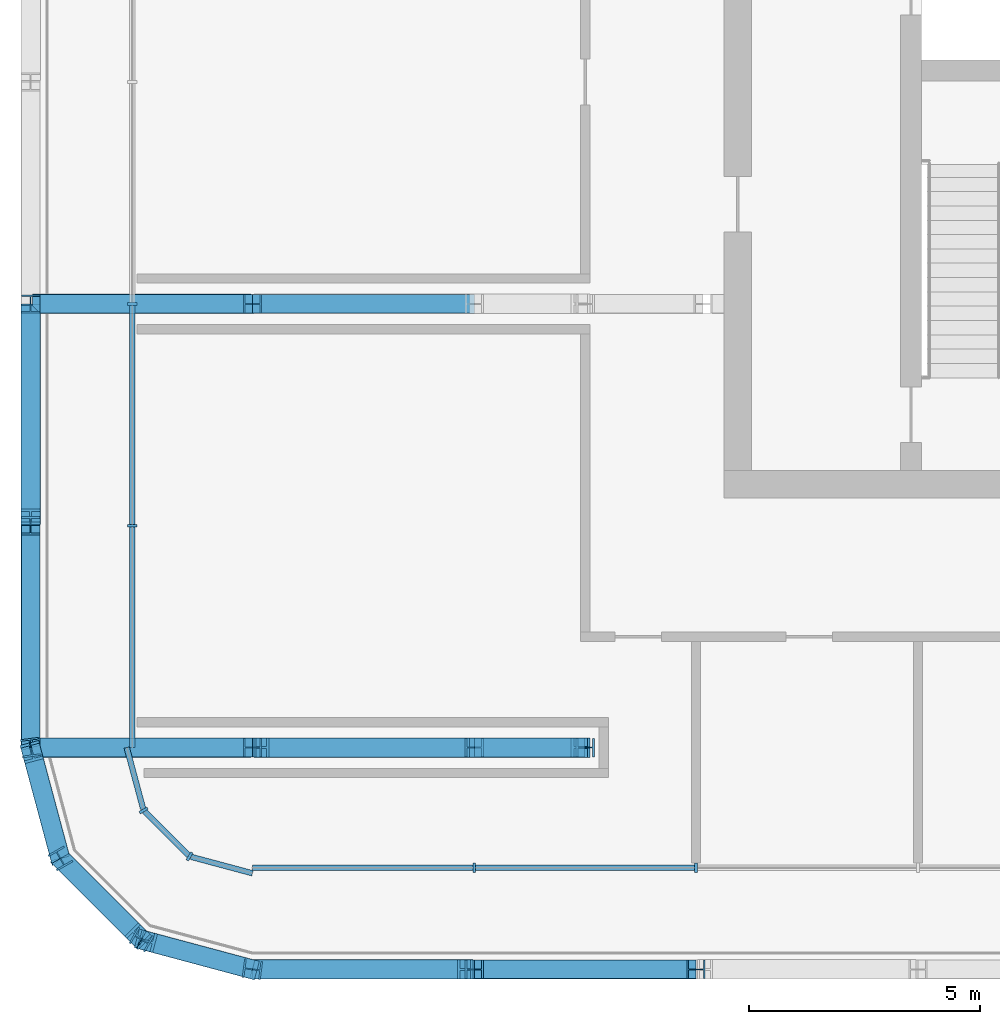
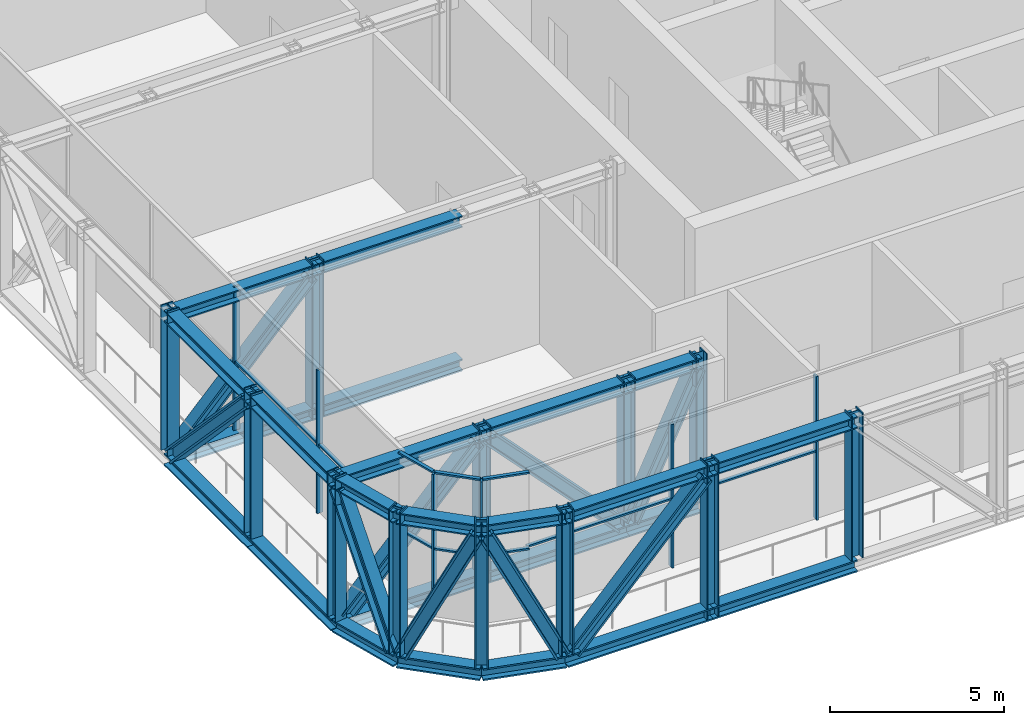
# One storey, part 1 of 26: 61 members, 3 elements without a shape of their own.
"""IFC4 building model written with IfcOpenShell, lengths in metres."""

from ifc_helpers import new_model, si_unit, direction, frame, origin, origin_2d, place, context, subcontext, project, spatial, rectangle, i_section, extrude, material, layer, layer_set, material_profile, profile_set, type_object, element, aggregate, save


model = new_model("IFC4")

# Units and contexts
model_context = context("Model", 3, precision=1e-05, world=origin(), true_north=direction((0.0, 1.0)))
body_context = subcontext(model_context, "Body", "Model", "MODEL_VIEW")
ifc_project = project(units=[si_unit("LENGTHUNIT", "METRE"), si_unit("AREAUNIT", "SQUARE_METRE"), si_unit("VOLUMEUNIT", "CUBIC_METRE"), si_unit("PLANEANGLEUNIT", "RADIAN"), si_unit("MASSUNIT", "GRAM", prefix="KILO")], contexts=[model_context])

# Site, building, storey
site_placement = place(None, origin())
site = spatial("IfcSite", under=ifc_project, at=site_placement, CompositionType="ELEMENT")
building_placement = place(site_placement, origin())
building = spatial("IfcBuilding", under=site, at=building_placement, Name="Madar Terraces", CompositionType="ELEMENT")
storey_placement = place(building_placement, frame((0.0, 0.0, 233.300048828125)))
storey = spatial("IfcBuildingStorey", under=building, at=storey_placement, Name="L61", CompositionType="ELEMENT", Elevation=233.300048828125)

# Members
ifc_material_1 = material(Name="Steel ASTM A992 Grade 50", Category="steel")
ifc_material_profile_1 = material_profile(ifc_material_1, i_section(OverallWidth=0.408935546875, OverallDepth=0.424072265625, WebThickness=0.03271484375, FlangeThickness=0.052490234375, at=origin_2d()), Name="W14x283")
ifc_profile_set_1 = profile_set([ifc_material_profile_1], Name="Steel ASTM A992 Grade 50")
member_type_1 = type_object("IfcMemberType", Name="BC8 W14x283", PredefinedType="CHORD", material=ifc_profile_set_1)
member_1_placement = place(storey_placement, frame((4.800048828125, 4.800048828125, -0.2080078125), z_axis=(1.0, 0.0, 0.0), x_axis=(0.0, 1.0, 0.0)))
element("IfcMember", 1, at=member_1_placement, inside=storey, type_object=member_type_1, Name="Exoskeleton truss ring bottom chord BC8", PredefinedType="CHORD", context=body_context, shape_type="SweptSolid", body=[
    extrude(i_section(OverallWidth=0.408935546875, OverallDepth=0.424072265625, WebThickness=0.03271484375, FlangeThickness=0.052490234375, at=origin_2d()), origin(), (0.0, 0.0, 1.0), 4.800048828125),
])
member_2_placement = place(storey_placement, frame((9.60009765625, 4.800048828125, -0.2080078125), z_axis=(1.0, 0.0, 0.0), x_axis=(0.0, 1.0, 0.0)))
element("IfcMember", 2, at=member_2_placement, inside=storey, type_object=member_type_1, Name="Exoskeleton truss ring bottom chord BC8", PredefinedType="CHORD", context=body_context, shape_type="SweptSolid", body=[
    extrude(i_section(OverallWidth=0.408935546875, OverallDepth=0.424072265625, WebThickness=0.03271484375, FlangeThickness=0.052490234375, at=origin_2d()), origin(), (0.0, 0.0, 1.0), 4.7998046875),
])
member_3_placement = place(storey_placement, frame((0.0, 19.199951171875, -0.2080078125), z_axis=(0.0, -1.0, 0.0), x_axis=(1.0, 0.0, 0.0)))
element("IfcMember", 3, at=member_3_placement, inside=storey, type_object=member_type_1, Name="Exoskeleton truss ring bottom chord BC8", PredefinedType="CHORD", context=body_context, shape_type="SweptSolid", body=[
    extrude(i_section(OverallWidth=0.408935546875, OverallDepth=0.424072265625, WebThickness=0.03271484375, FlangeThickness=0.052490234375, at=origin_2d()), origin(), (0.0, 0.0, 1.0), 4.800048828125),
])
member_4_placement = place(storey_placement, frame((0.0, 14.39990234375, -0.2080078125), z_axis=(0.0, -1.0, 0.0), x_axis=(1.0, 0.0, 0.0)))
element("IfcMember", 4, at=member_4_placement, inside=storey, type_object=member_type_1, Name="Exoskeleton truss ring bottom chord BC8", PredefinedType="CHORD", context=body_context, shape_type="SweptSolid", body=[
    extrude(i_section(OverallWidth=0.408935546875, OverallDepth=0.424072265625, WebThickness=0.03271484375, FlangeThickness=0.052490234375, at=origin_2d()), origin(), (0.0, 0.0, 1.0), 4.7998046875),
])
member_5_placement = place(storey_placement, frame((0.0, 9.60009765625, -0.2080078125), z_axis=(0.258799930484, -0.965930947833, 0.0), x_axis=(0.965930947833, 0.258799930484, 0.0)))
element("IfcMember", 5, at=member_5_placement, inside=storey, type_object=member_type_1, Name="Exoskeleton truss ring bottom chord BC8", PredefinedType="CHORD", context=body_context, shape_type="SweptSolid", body=[
    extrude(i_section(OverallWidth=0.408935546875, OverallDepth=0.424072265625, WebThickness=0.03271484375, FlangeThickness=0.052490234375, at=origin_2d()), origin(), (0.0, 0.0, 1.0), 2.48486328125),
])
member_6_placement = place(storey_placement, frame((0.64306640625, 7.199951171875, -0.2080078125), z_axis=(0.707106781187, -0.707106781187, 0.0), x_axis=(0.707106781187, 0.707106781187, 0.0)))
element("IfcMember", 6, at=member_6_placement, inside=storey, type_object=member_type_1, Name="Exoskeleton truss ring bottom chord BC8", PredefinedType="CHORD", context=body_context, shape_type="SweptSolid", body=[
    extrude(i_section(OverallWidth=0.408935546875, OverallDepth=0.424072265625, WebThickness=0.03271484375, FlangeThickness=0.052490234375, at=origin_2d()), origin(), (0.0, 0.0, 1.0), 2.484619140625),
])
member_7_placement = place(storey_placement, frame((2.39990234375, 5.443115234375, -0.2080078125), z_axis=(0.965930947833, -0.258799930484, 0.0), x_axis=(0.258799930484, 0.965930947833, 0.0)))
element("IfcMember", 7, at=member_7_placement, inside=storey, type_object=member_type_1, Name="Exoskeleton truss ring bottom chord BC8", PredefinedType="CHORD", context=body_context, shape_type="SweptSolid", body=[
    extrude(i_section(OverallWidth=0.408935546875, OverallDepth=0.424072265625, WebThickness=0.03271484375, FlangeThickness=0.052490234375, at=origin_2d()), origin(), (0.0, 0.0, 1.0), 2.48486328125),
])
member_8_placement = place(storey_placement, frame((0.20458984375, 9.60009765625, -0.2080078125), z_axis=(1.0, 0.0, 0.0), x_axis=(0.0, 1.0, 0.0)))
element("IfcMember", 8, at=member_8_placement, inside=storey, type_object=member_type_1, Name="Exoskeleton truss cross W9.6 bottom chord BC8", PredefinedType="CHORD", context=body_context, shape_type="SweptSolid", body=[
    extrude(i_section(OverallWidth=0.408935546875, OverallDepth=0.424072265625, WebThickness=0.03271484375, FlangeThickness=0.052490234375, at=origin_2d()), origin(), (0.0, 0.0, 1.0), 4.595458984375),
])
member_9_placement = place(storey_placement, frame((4.800048828125, 9.60009765625, -0.2080078125), z_axis=(1.0, 0.0, 0.0), x_axis=(0.0, 1.0, 0.0)))
element("IfcMember", 9, at=member_9_placement, inside=storey, type_object=member_type_1, Name="Exoskeleton truss cross W9.6 bottom chord BC8", PredefinedType="CHORD", context=body_context, shape_type="SweptSolid", body=[
    extrude(i_section(OverallWidth=0.408935546875, OverallDepth=0.424072265625, WebThickness=0.03271484375, FlangeThickness=0.052490234375, at=origin_2d()), origin(), (0.0, 0.0, 1.0), 4.800048828125),
])
member_10_placement = place(storey_placement, frame((9.60009765625, 9.60009765625, -0.2080078125), z_axis=(1.0, 0.0, 0.0), x_axis=(0.0, 1.0, 0.0)))
element("IfcMember", 10, at=member_10_placement, inside=storey, type_object=member_type_1, Name="Exoskeleton truss cross W9.6 bottom chord BC8", PredefinedType="CHORD", context=body_context, shape_type="SweptSolid", body=[
    extrude(i_section(OverallWidth=0.408935546875, OverallDepth=0.424072265625, WebThickness=0.03271484375, FlangeThickness=0.052490234375, at=origin_2d()), origin(), (0.0, 0.0, 1.0), 2.39990234375),
])
member_11_placement = place(storey_placement, frame((0.20458984375, 19.199951171875, -0.2080078125), z_axis=(1.0, 0.0, 0.0), x_axis=(0.0, 1.0, 0.0)))
element("IfcMember", 11, at=member_11_placement, inside=storey, type_object=member_type_1, Name="Exoskeleton truss cross W19.2 bottom chord BC8", PredefinedType="CHORD", context=body_context, shape_type="SweptSolid", body=[
    extrude(i_section(OverallWidth=0.408935546875, OverallDepth=0.424072265625, WebThickness=0.03271484375, FlangeThickness=0.052490234375, at=origin_2d()), origin(), (0.0, 0.0, 1.0), 4.595458984375),
])
member_12_placement = place(storey_placement, frame((4.800048828125, 19.199951171875, -0.2080078125), z_axis=(1.0, 0.0, 0.0), x_axis=(0.0, 1.0, 0.0)))
element("IfcMember", 12, at=member_12_placement, inside=storey, type_object=member_type_1, Name="Exoskeleton truss cross W19.2 bottom chord BC8", PredefinedType="CHORD", context=body_context, shape_type="SweptSolid", body=[
    extrude(i_section(OverallWidth=0.408935546875, OverallDepth=0.424072265625, WebThickness=0.03271484375, FlangeThickness=0.052490234375, at=origin_2d()), origin(), (0.0, 0.0, 1.0), 4.800048828125),
])

# Curtain wall, members
ifc_material_2 = material(Name="Glass, ceramic frit dark grey, with black aluminium frame", Category="aluminium")
ifc_layer = layer(ifc_material_2, 0.199951171875)
ifc_layer_set = layer_set([ifc_layer], Name="Facade curtain wall, tall glazing")
curtain_wall_type = type_object("IfcCurtainWallType", Name="Facade curtain wall, tall glazing", PredefinedType="NOTDEFINED", material=ifc_layer_set)
curtain_wall_1_placement = place(storey_placement, origin())
curtain_wall_1 = element("IfcCurtainWall", 13, at=curtain_wall_1_placement, inside=storey, type_object=curtain_wall_type, Name="Outer skin curtain wall south bay 1", PredefinedType="NOTDEFINED")
ifc_material_3 = material(Name="Aluminium, black anodised", Category="aluminium")
ifc_material_profile_2 = material_profile(ifc_material_3, rectangle(XDim=0.199951171875, YDim=0.06005859375, at=origin_2d()), Name="Facade mullion 60x200")
ifc_profile_set_2 = profile_set([ifc_material_profile_2], Name="Aluminium, black anodised")
member_type_2 = type_object("IfcMemberType", Name="Facade mullion 60x200", PredefinedType="MULLION", material=ifc_profile_set_2)
member_13_placement = place(storey_placement, frame((9.60009765625, 7.0, 0.0), z_axis=(0.0, 0.0, 1.0), x_axis=(0.0, 1.0, 0.0)))
member_13 = element("IfcMember", 14, at=member_13_placement, type_object=member_type_2, Name="Mullion 1", PredefinedType="MULLION", context=body_context, shape_type="SweptSolid", body=[
    extrude(rectangle(XDim=0.199951171875, YDim=0.06005859375, at=origin_2d()), origin(), (0.0, 0.0, 1.0), 5.0400390625),
])
member_14_placement = place(storey_placement, frame((14.39990234375, 7.0, 0.0), z_axis=(0.0, 0.0, 1.0), x_axis=(0.0, 1.0, 0.0)))
member_14 = element("IfcMember", 15, at=member_14_placement, type_object=member_type_2, Name="Mullion 2", PredefinedType="MULLION", context=body_context, shape_type="SweptSolid", body=[
    extrude(rectangle(XDim=0.199951171875, YDim=0.06005859375, at=origin_2d()), origin(), (0.0, 0.0, 1.0), 5.0400390625),
])

curtain_wall_2_placement = place(storey_placement, origin())
curtain_wall_2 = element("IfcCurtainWall", 16, at=curtain_wall_2_placement, inside=storey, type_object=curtain_wall_type, Name="Outer skin curtain wall west bay 1", PredefinedType="NOTDEFINED")
member_15_placement = place(storey_placement, frame((2.199951171875, 19.199951171875, 0.0), z_axis=(0.0, 0.0, 1.0), x_axis=(1.0, 0.0, 0.0)))
member_15 = element("IfcMember", 17, at=member_15_placement, type_object=member_type_2, Name="Mullion 6", PredefinedType="MULLION", context=body_context, shape_type="SweptSolid", body=[
    extrude(rectangle(XDim=0.199951171875, YDim=0.06005859375, at=origin_2d()), origin(), (0.0, 0.0, 1.0), 5.0400390625),
])
member_16_placement = place(storey_placement, frame((2.199951171875, 14.39990234375, 0.0), z_axis=(0.0, 0.0, 1.0), x_axis=(1.0, 0.0, 0.0)))
member_16 = element("IfcMember", 18, at=member_16_placement, type_object=member_type_2, Name="Mullion 7", PredefinedType="MULLION", context=body_context, shape_type="SweptSolid", body=[
    extrude(rectangle(XDim=0.199951171875, YDim=0.06005859375, at=origin_2d()), origin(), (0.0, 0.0, 1.0), 5.0400390625),
])

curtain_wall_3_placement = place(storey_placement, origin())
curtain_wall_3 = element("IfcCurtainWall", 19, at=curtain_wall_3_placement, inside=storey, type_object=curtain_wall_type, Name="Outer skin curtain wall south-west corner", PredefinedType="NOTDEFINED")
member_17_placement = place(storey_placement, frame((2.4443359375, 8.239990234375, 0.0), z_axis=(0.0, 0.0, 1.0), x_axis=(0.866025386925, 0.500000029202, 0.0)))
member_17 = element("IfcMember", 20, at=member_17_placement, type_object=member_type_2, Name="Mullion 1", PredefinedType="MULLION", context=body_context, shape_type="SweptSolid", body=[
    extrude(rectangle(XDim=0.199951171875, YDim=0.06005859375, at=origin_2d()), origin(), (0.0, 0.0, 1.0), 5.0400390625),
])
member_18_placement = place(storey_placement, frame((3.43994140625, 7.244384765625, 0.0), z_axis=(0.0, 0.0, 1.0), x_axis=(0.500000029202, 0.866025386925, 0.0)))
member_18 = element("IfcMember", 21, at=member_18_placement, type_object=member_type_2, Name="Mullion 2", PredefinedType="MULLION", context=body_context, shape_type="SweptSolid", body=[
    extrude(rectangle(XDim=0.199951171875, YDim=0.06005859375, at=origin_2d()), origin(), (0.0, 0.0, 1.0), 5.0400390625),
])

# Member
ifc_material_4 = material(Name="Aluminium, black anodised", Category="aluminium")
ifc_material_profile_3 = material_profile(ifc_material_4, rectangle(XDim=0.1201171875, YDim=0.06005859375, at=origin_2d()), Name="Facade transom 60x120")
ifc_profile_set_3 = profile_set([ifc_material_profile_3], Name="Aluminium, black anodised")
member_type_3 = type_object("IfcMemberType", Name="Facade transom 60x120", PredefinedType="USERDEFINED", material=ifc_profile_set_3)
member_19_placement = place(storey_placement, frame((4.800048828125, 7.0, 2.39990234375), z_axis=(1.0, 0.0, 0.0), x_axis=(0.0, 1.0, 0.0)))
member_19 = element("IfcMember", 22, at=member_19_placement, type_object=member_type_3, Name="Transom 2", ObjectType="TRANSOM", PredefinedType="USERDEFINED", context=body_context, shape_type="SweptSolid", body=[
    extrude(rectangle(XDim=0.1201171875, YDim=0.06005859375, at=origin_2d()), origin(), (0.0, 0.0, 1.0), 4.77001953125),
])

member_20_placement = place(storey_placement, frame((9.6298828125, 7.0, 2.39990234375), z_axis=(1.0, 0.0, 0.0), x_axis=(0.0, 1.0, 0.0)))
member_20 = element("IfcMember", 23, at=member_20_placement, type_object=member_type_3, Name="Transom 3", ObjectType="TRANSOM", PredefinedType="USERDEFINED", context=body_context, shape_type="SweptSolid", body=[
    extrude(rectangle(XDim=0.1201171875, YDim=0.06005859375, at=origin_2d()), origin(), (0.0, 0.0, 1.0), 4.740234375),
])

aggregate(curtain_wall_1, [member_13, member_14, member_19, member_20])

member_21_placement = place(storey_placement, frame((2.199951171875, 19.169921875, 2.39990234375), z_axis=(0.0, -1.0, 0.0), x_axis=(1.0, 0.0, 0.0)))
member_21 = element("IfcMember", 24, at=member_21_placement, type_object=member_type_3, Name="Transom 8", ObjectType="TRANSOM", PredefinedType="USERDEFINED", context=body_context, shape_type="SweptSolid", body=[
    extrude(rectangle(XDim=0.1201171875, YDim=0.06005859375, at=origin_2d()), origin(), (0.0, 0.0, 1.0), 4.739990234375),
])

member_22_placement = place(storey_placement, frame((2.199951171875, 14.3701171875, 2.39990234375), z_axis=(0.0, -1.0, 0.0), x_axis=(1.0, 0.0, 0.0)))
member_22 = element("IfcMember", 25, at=member_22_placement, type_object=member_type_3, Name="Transom 9", ObjectType="TRANSOM", PredefinedType="USERDEFINED", context=body_context, shape_type="SweptSolid", body=[
    extrude(rectangle(XDim=0.1201171875, YDim=0.06005859375, at=origin_2d()), origin(), (0.0, 0.0, 1.0), 4.77001953125),
])

aggregate(curtain_wall_2, [member_15, member_16, member_21, member_22])

member_23_placement = place(storey_placement, frame((2.080078125, 9.60009765625, 5.070068359375), z_axis=(0.258842352791, -0.965919580711, 0.0), x_axis=(0.965919580711, 0.258842352791, 0.0)))
member_23 = element("IfcMember", 26, at=member_23_placement, type_object=member_type_3, Name="Transom 1", ObjectType="TRANSOM", PredefinedType="USERDEFINED", context=body_context, shape_type="SweptSolid", body=[
    extrude(rectangle(XDim=0.1201171875, YDim=0.06005859375, at=origin_2d()), origin(), (0.0, 0.0, 1.0), 1.3779296875),
])

member_24_placement = place(storey_placement, frame((2.080078125, 9.60009765625, 2.39990234375), z_axis=(0.258842352791, -0.965919580711, 0.0), x_axis=(0.965919580711, 0.258842352791, 0.0)))
member_24 = element("IfcMember", 27, at=member_24_placement, type_object=member_type_3, Name="Transom 2", ObjectType="TRANSOM", PredefinedType="USERDEFINED", context=body_context, shape_type="SweptSolid", body=[
    extrude(rectangle(XDim=0.1201171875, YDim=0.06005859375, at=origin_2d()), origin(), (0.0, 0.0, 1.0), 1.3779296875),
])

member_25_placement = place(storey_placement, frame((2.465576171875, 8.21875, 5.070068359375), z_axis=(0.707106781187, -0.707106781187, 0.0), x_axis=(0.707106781187, 0.707106781187, 0.0)))
member_25 = element("IfcMember", 28, at=member_25_placement, type_object=member_type_3, Name="Transom 3", ObjectType="TRANSOM", PredefinedType="USERDEFINED", context=body_context, shape_type="SweptSolid", body=[
    extrude(rectangle(XDim=0.1201171875, YDim=0.06005859375, at=origin_2d()), origin(), (0.0, 0.0, 1.0), 1.347900390625),
])

member_26_placement = place(storey_placement, frame((2.465576171875, 8.21875, 2.39990234375), z_axis=(0.707106781187, -0.707106781187, 0.0), x_axis=(0.707106781187, 0.707106781187, 0.0)))
member_26 = element("IfcMember", 29, at=member_26_placement, type_object=member_type_3, Name="Transom 4", ObjectType="TRANSOM", PredefinedType="USERDEFINED", context=body_context, shape_type="SweptSolid", body=[
    extrude(rectangle(XDim=0.1201171875, YDim=0.06005859375, at=origin_2d()), origin(), (0.0, 0.0, 1.0), 1.347900390625),
])

member_27_placement = place(storey_placement, frame((3.468994140625, 7.236572265625, 5.070068359375), z_axis=(0.965919580711, -0.258842352791, 0.0), x_axis=(0.258842352791, 0.965919580711, 0.0)))
member_27 = element("IfcMember", 30, at=member_27_placement, type_object=member_type_3, Name="Transom 5", ObjectType="TRANSOM", PredefinedType="USERDEFINED", context=body_context, shape_type="SweptSolid", body=[
    extrude(rectangle(XDim=0.1201171875, YDim=0.06005859375, at=origin_2d()), origin(), (0.0, 0.0, 1.0), 1.3779296875),
])

member_28_placement = place(storey_placement, frame((3.468994140625, 7.236572265625, 2.39990234375), z_axis=(0.965919580711, -0.258842352791, 0.0), x_axis=(0.258842352791, 0.965919580711, 0.0)))
member_28 = element("IfcMember", 31, at=member_28_placement, type_object=member_type_3, Name="Transom 6", ObjectType="TRANSOM", PredefinedType="USERDEFINED", context=body_context, shape_type="SweptSolid", body=[
    extrude(rectangle(XDim=0.1201171875, YDim=0.06005859375, at=origin_2d()), origin(), (0.0, 0.0, 1.0), 1.3779296875),
])

aggregate(curtain_wall_3, [member_17, member_23, member_24, member_18, member_25, member_26, member_27, member_28])

# Members
ifc_material_5 = material(Name="Steel ASTM A992 Grade 50", Category="steel")
ifc_material_profile_4 = material_profile(ifc_material_5, i_section(OverallWidth=0.40380859375, OverallDepth=0.406494140625, WebThickness=0.027099609375, FlangeThickness=0.043701171875, at=origin_2d()), Name="W14x233")
ifc_profile_set_4 = profile_set([ifc_material_profile_4], Name="Steel ASTM A992 Grade 50")
member_type_4 = type_object("IfcMemberType", Name="TC8 W14x233", PredefinedType="CHORD", material=ifc_profile_set_4)
member_29_placement = place(storey_placement, frame((4.800048828125, 4.800048828125, 4.82666015625), z_axis=(1.0, 0.0, 0.0), x_axis=(0.0, 1.0, 0.0)))
element("IfcMember", 32, at=member_29_placement, inside=storey, type_object=member_type_4, Name="Exoskeleton truss ring top chord TC8", PredefinedType="CHORD", context=body_context, shape_type="SweptSolid", body=[
    extrude(i_section(OverallWidth=0.40380859375, OverallDepth=0.406494140625, WebThickness=0.027099609375, FlangeThickness=0.043701171875, at=origin_2d()), origin(), (0.0, 0.0, 1.0), 4.800048828125),
])
member_30_placement = place(storey_placement, frame((9.60009765625, 4.800048828125, 4.82666015625), z_axis=(1.0, 0.0, 0.0), x_axis=(0.0, 1.0, 0.0)))
element("IfcMember", 33, at=member_30_placement, inside=storey, type_object=member_type_4, Name="Exoskeleton truss ring top chord TC8", PredefinedType="CHORD", context=body_context, shape_type="SweptSolid", body=[
    extrude(i_section(OverallWidth=0.40380859375, OverallDepth=0.406494140625, WebThickness=0.027099609375, FlangeThickness=0.043701171875, at=origin_2d()), origin(), (0.0, 0.0, 1.0), 4.7998046875),
])
member_31_placement = place(storey_placement, frame((0.0, 19.199951171875, 4.82666015625), z_axis=(0.0, -1.0, 0.0), x_axis=(1.0, 0.0, 0.0)))
element("IfcMember", 34, at=member_31_placement, inside=storey, type_object=member_type_4, Name="Exoskeleton truss ring top chord TC8", PredefinedType="CHORD", context=body_context, shape_type="SweptSolid", body=[
    extrude(i_section(OverallWidth=0.40380859375, OverallDepth=0.406494140625, WebThickness=0.027099609375, FlangeThickness=0.043701171875, at=origin_2d()), origin(), (0.0, 0.0, 1.0), 4.800048828125),
])
member_32_placement = place(storey_placement, frame((0.0, 14.39990234375, 4.82666015625), z_axis=(0.0, -1.0, 0.0), x_axis=(1.0, 0.0, 0.0)))
element("IfcMember", 35, at=member_32_placement, inside=storey, type_object=member_type_4, Name="Exoskeleton truss ring top chord TC8", PredefinedType="CHORD", context=body_context, shape_type="SweptSolid", body=[
    extrude(i_section(OverallWidth=0.40380859375, OverallDepth=0.406494140625, WebThickness=0.027099609375, FlangeThickness=0.043701171875, at=origin_2d()), origin(), (0.0, 0.0, 1.0), 4.7998046875),
])
member_33_placement = place(storey_placement, frame((0.0, 9.60009765625, 4.82666015625), z_axis=(0.258799930484, -0.965930947833, 0.0), x_axis=(0.965930947833, 0.258799930484, 0.0)))
element("IfcMember", 36, at=member_33_placement, inside=storey, type_object=member_type_4, Name="Exoskeleton truss ring top chord TC8", PredefinedType="CHORD", context=body_context, shape_type="SweptSolid", body=[
    extrude(i_section(OverallWidth=0.40380859375, OverallDepth=0.406494140625, WebThickness=0.027099609375, FlangeThickness=0.043701171875, at=origin_2d()), origin(), (0.0, 0.0, 1.0), 2.48486328125),
])
member_34_placement = place(storey_placement, frame((0.64306640625, 7.199951171875, 4.82666015625), z_axis=(0.707106781187, -0.707106781187, 0.0), x_axis=(0.707106781187, 0.707106781187, 0.0)))
element("IfcMember", 37, at=member_34_placement, inside=storey, type_object=member_type_4, Name="Exoskeleton truss ring top chord TC8", PredefinedType="CHORD", context=body_context, shape_type="SweptSolid", body=[
    extrude(i_section(OverallWidth=0.40380859375, OverallDepth=0.406494140625, WebThickness=0.027099609375, FlangeThickness=0.043701171875, at=origin_2d()), origin(), (0.0, 0.0, 1.0), 2.484619140625),
])
member_35_placement = place(storey_placement, frame((2.39990234375, 5.443115234375, 4.82666015625), z_axis=(0.965930947833, -0.258799930484, 0.0), x_axis=(0.258799930484, 0.965930947833, 0.0)))
element("IfcMember", 38, at=member_35_placement, inside=storey, type_object=member_type_4, Name="Exoskeleton truss ring top chord TC8", PredefinedType="CHORD", context=body_context, shape_type="SweptSolid", body=[
    extrude(i_section(OverallWidth=0.40380859375, OverallDepth=0.406494140625, WebThickness=0.027099609375, FlangeThickness=0.043701171875, at=origin_2d()), origin(), (0.0, 0.0, 1.0), 2.48486328125),
])
member_36_placement = place(storey_placement, frame((0.201904296875, 9.60009765625, 4.82666015625), z_axis=(1.0, 0.0, 0.0), x_axis=(0.0, 1.0, 0.0)))
element("IfcMember", 39, at=member_36_placement, inside=storey, type_object=member_type_4, Name="Exoskeleton truss cross W9.6 top chord TC8", PredefinedType="CHORD", context=body_context, shape_type="SweptSolid", body=[
    extrude(i_section(OverallWidth=0.40380859375, OverallDepth=0.406494140625, WebThickness=0.027099609375, FlangeThickness=0.043701171875, at=origin_2d()), origin(), (0.0, 0.0, 1.0), 4.59814453125),
])
member_37_placement = place(storey_placement, frame((4.800048828125, 9.60009765625, 4.82666015625), z_axis=(1.0, 0.0, 0.0), x_axis=(0.0, 1.0, 0.0)))
element("IfcMember", 40, at=member_37_placement, inside=storey, type_object=member_type_4, Name="Exoskeleton truss cross W9.6 top chord TC8", PredefinedType="CHORD", context=body_context, shape_type="SweptSolid", body=[
    extrude(i_section(OverallWidth=0.40380859375, OverallDepth=0.406494140625, WebThickness=0.027099609375, FlangeThickness=0.043701171875, at=origin_2d()), origin(), (0.0, 0.0, 1.0), 4.800048828125),
])
member_38_placement = place(storey_placement, frame((9.60009765625, 9.60009765625, 4.82666015625), z_axis=(1.0, 0.0, 0.0), x_axis=(0.0, 1.0, 0.0)))
element("IfcMember", 41, at=member_38_placement, inside=storey, type_object=member_type_4, Name="Exoskeleton truss cross W9.6 top chord TC8", PredefinedType="CHORD", context=body_context, shape_type="SweptSolid", body=[
    extrude(i_section(OverallWidth=0.40380859375, OverallDepth=0.406494140625, WebThickness=0.027099609375, FlangeThickness=0.043701171875, at=origin_2d()), origin(), (0.0, 0.0, 1.0), 2.39990234375),
])
member_39_placement = place(storey_placement, frame((0.201904296875, 19.199951171875, 4.82666015625), z_axis=(1.0, 0.0, 0.0), x_axis=(0.0, 1.0, 0.0)))
element("IfcMember", 42, at=member_39_placement, inside=storey, type_object=member_type_4, Name="Exoskeleton truss cross W19.2 top chord TC8", PredefinedType="CHORD", context=body_context, shape_type="SweptSolid", body=[
    extrude(i_section(OverallWidth=0.40380859375, OverallDepth=0.406494140625, WebThickness=0.027099609375, FlangeThickness=0.043701171875, at=origin_2d()), origin(), (0.0, 0.0, 1.0), 4.59814453125),
])
member_40_placement = place(storey_placement, frame((4.800048828125, 19.199951171875, 4.82666015625), z_axis=(1.0, 0.0, 0.0), x_axis=(0.0, 1.0, 0.0)))
element("IfcMember", 43, at=member_40_placement, inside=storey, type_object=member_type_4, Name="Exoskeleton truss cross W19.2 top chord TC8", PredefinedType="CHORD", context=body_context, shape_type="SweptSolid", body=[
    extrude(i_section(OverallWidth=0.40380859375, OverallDepth=0.406494140625, WebThickness=0.027099609375, FlangeThickness=0.043701171875, at=origin_2d()), origin(), (0.0, 0.0, 1.0), 4.800048828125),
])
ifc_material_6 = material(Name="Steel ASTM A992 Grade 50", Category="steel")
ifc_material_profile_5 = material_profile(ifc_material_6, i_section(OverallWidth=0.419189453125, OverallDepth=0.45458984375, WebThickness=0.042236328125, FlangeThickness=0.067626953125, at=origin_2d()), Name="W14x370")
ifc_profile_set_5 = profile_set([ifc_material_profile_5], Name="Steel ASTM A992 Grade 50")
member_type_5 = type_object("IfcMemberType", Name="TD8 W14x370", PredefinedType="BRACE", material=ifc_profile_set_5)
for number, where, z_axis, x_axis, name in (
    (44, (5.002197265625, 4.800048828125, 0.004150390625), (0.690036191516, 0.0, 0.723774864442), (0.0, 1.0, 0.0), "Exoskeleton truss ring diagonal TD8"),
    (45, (0.0, 18.997802734375, 0.004150390625), (0.0, -0.690036191516, 0.723774864442), (1.0, 0.0, 0.0), "Exoskeleton truss ring diagonal TD8"),
):
    element("IfcMember", number, at=place(storey_placement, frame(where, z_axis=z_axis, x_axis=x_axis)), inside=storey, type_object=member_type_5, Name=name, PredefinedType="BRACE", context=body_context, shape_type="SweptSolid", body=[
        extrude(i_section(OverallWidth=0.419189453125, OverallDepth=0.45458984375, WebThickness=0.042236328125, FlangeThickness=0.067626953125, at=origin_2d()), origin(), (0.0, 0.0, 1.0), 6.38232421875),
    ])
for number, where, z_axis, x_axis, name in (
    (46, (0.02587890625, 9.503173828125, 4.62353515625), (0.11455020944, -0.427489817606, -0.89673335243), (0.965923195001, 0.258828865002, 0.0), "Exoskeleton truss ring diagonal TD8"),
    (47, (0.717041015625, 7.1259765625, 0.004150390625), (0.312940687487, -0.312940687487, 0.896736445245), (0.707106781187, 0.707106781187, 0.0), "Exoskeleton truss ring diagonal TD8"),
    (48, (2.496826171875, 5.417236328125, 4.62353515625), (0.427489817606, -0.11455020944, -0.89673335243), (0.258828865002, 0.965923195001, 0.0), "Exoskeleton truss ring diagonal TD8"),
):
    element("IfcMember", number, at=place(storey_placement, frame(where, z_axis=z_axis, x_axis=x_axis)), inside=storey, type_object=member_type_5, Name=name, PredefinedType="BRACE", context=body_context, shape_type="SweptSolid", body=[
        extrude(i_section(OverallWidth=0.419189453125, OverallDepth=0.45458984375, WebThickness=0.042236328125, FlangeThickness=0.067626953125, at=origin_2d()), origin(), (0.0, 0.0, 1.0), 5.1513671875),
    ])
member_41_placement = place(storey_placement, frame((0.20458984375, 9.60009765625, 0.006591796875), z_axis=(0.690026845457, 0.0, 0.723783774721), x_axis=(0.0, 1.0, 0.0)))
element("IfcMember", 49, at=member_41_placement, inside=storey, type_object=member_type_5, Name="Exoskeleton truss cross W9.6 diagonal TD8", PredefinedType="BRACE", context=body_context, shape_type="SweptSolid", body=[
    extrude(i_section(OverallWidth=0.419189453125, OverallDepth=0.45458984375, WebThickness=0.042236328125, FlangeThickness=0.067626953125, at=origin_2d()), origin(), (0.0, 0.0, 1.0), 6.37890625),
])
member_42_placement = place(storey_placement, frame((4.99365234375, 9.60009765625, 4.62353515625), z_axis=(0.690036191516, 0.0, -0.723774864442), x_axis=(0.0, 1.0, 0.0)))
element("IfcMember", 50, at=member_42_placement, inside=storey, type_object=member_type_5, Name="Exoskeleton truss cross W9.6 diagonal TD8", PredefinedType="BRACE", context=body_context, shape_type="SweptSolid", body=[
    extrude(i_section(OverallWidth=0.419189453125, OverallDepth=0.45458984375, WebThickness=0.042236328125, FlangeThickness=0.067626953125, at=origin_2d()), origin(), (0.0, 0.0, 1.0), 6.38232421875),
])
member_43_placement = place(storey_placement, frame((9.701171875, 9.60009765625, 0.004150390625), z_axis=(0.430283557881, 0.0, 0.902693779649), x_axis=(0.0, 1.0, 0.0)))
element("IfcMember", 51, at=member_43_placement, inside=storey, type_object=member_type_5, Name="Exoskeleton truss cross W9.6 diagonal TD8", PredefinedType="BRACE", context=body_context, shape_type="SweptSolid", body=[
    extrude(i_section(OverallWidth=0.419189453125, OverallDepth=0.45458984375, WebThickness=0.042236328125, FlangeThickness=0.067626953125, at=origin_2d()), origin(), (0.0, 0.0, 1.0), 5.117431640625),
])
member_44_placement = place(storey_placement, frame((0.20458984375, 19.199951171875, 0.006591796875), z_axis=(0.690026845457, 0.0, 0.723783774721), x_axis=(0.0, 1.0, 0.0)))
element("IfcMember", 52, at=member_44_placement, inside=storey, type_object=member_type_5, Name="Exoskeleton truss cross W19.2 diagonal TD8", PredefinedType="BRACE", context=body_context, shape_type="SweptSolid", body=[
    extrude(i_section(OverallWidth=0.419189453125, OverallDepth=0.45458984375, WebThickness=0.042236328125, FlangeThickness=0.067626953125, at=origin_2d()), origin(), (0.0, 0.0, 1.0), 6.37890625),
])
ifc_material_7 = material(Name="Steel ASTM A992 Grade 50", Category="steel")
ifc_material_profile_6 = material_profile(ifc_material_7, i_section(OverallWidth=0.398681640625, OverallDepth=0.393798828125, WebThickness=0.022705078125, FlangeThickness=0.03662109375, at=origin_2d()), Name="W14x193")
ifc_profile_set_6 = profile_set([ifc_material_profile_6], Name="Steel ASTM A992 Grade 50")
member_type_6 = type_object("IfcMemberType", Name="TV8 W14x193", PredefinedType="POST", material=ifc_profile_set_6)
member_45_placement = place(storey_placement, frame((4.800048828125, 4.800048828125, 0.004150390625), z_axis=(0.0, 0.0, 1.0), x_axis=(0.130526174916, 0.991444863652, 0.0)))
element("IfcMember", 53, at=member_45_placement, inside=storey, type_object=member_type_6, Name="Exoskeleton truss ring post TV8", PredefinedType="POST", context=body_context, shape_type="SweptSolid", body=[
    extrude(i_section(OverallWidth=0.398681640625, OverallDepth=0.393798828125, WebThickness=0.022705078125, FlangeThickness=0.03662109375, at=origin_2d()), origin(), (0.0, 0.0, 1.0), 5.095703125),
])
member_46_placement = place(storey_placement, frame((9.60009765625, 4.800048828125, -0.420166015625), z_axis=(0.0, 0.0, 1.0), x_axis=(0.0, 1.0, 0.0)))
element("IfcMember", 54, at=member_46_placement, inside=storey, type_object=member_type_6, Name="Exoskeleton truss ring post TV8", PredefinedType="POST", context=body_context, shape_type="SweptSolid", body=[
    extrude(i_section(OverallWidth=0.398681640625, OverallDepth=0.393798828125, WebThickness=0.022705078125, FlangeThickness=0.03662109375, at=origin_2d()), origin(), (0.0, 0.0, 1.0), 5.52001953125),
])
for number, where, z_axis, x_axis, name in (
    (55, (14.39990234375, 4.800048828125, 0.004150390625), (0.0, 0.0, 1.0), (0.0, 1.0, 0.0), "Exoskeleton truss ring post TV8"),
    (56, (0.0, 19.199951171875, 0.004150390625), (0.0, 0.0, 1.0), (1.0, 0.0, 0.0), "Exoskeleton truss ring post TV8"),
    (57, (0.0, 14.39990234375, 0.004150390625), (0.0, 0.0, 1.0), (1.0, 0.0, 0.0), "Exoskeleton truss ring post TV8"),
    (58, (0.0, 9.60009765625, 0.004150390625), (0.0, 0.0, 1.0), (0.991444863652, 0.130526174916, 0.0), "Exoskeleton truss ring post TV8"),
    (59, (0.64306640625, 7.199951171875, 0.004150390625), (0.0, 0.0, 1.0), (0.866025412511, 0.499999984885, 0.0), "Exoskeleton truss ring post TV8"),
    (60, (2.39990234375, 5.443115234375, 0.004150390625), (0.0, 0.0, 1.0), (0.499999984885, 0.866025412511, 0.0), "Exoskeleton truss ring post TV8"),
):
    element("IfcMember", number, at=place(storey_placement, frame(where, z_axis=z_axis, x_axis=x_axis)), inside=storey, type_object=member_type_6, Name=name, PredefinedType="POST", context=body_context, shape_type="SweptSolid", body=[
        extrude(i_section(OverallWidth=0.398681640625, OverallDepth=0.393798828125, WebThickness=0.022705078125, FlangeThickness=0.03662109375, at=origin_2d()), origin(), (0.0, 0.0, 1.0), 5.095703125),
    ])
member_47_placement = place(storey_placement, frame((4.800048828125, 9.60009765625, -0.420166015625), z_axis=(0.0, 0.0, 1.0), x_axis=(0.0, 1.0, 0.0)))
element("IfcMember", 61, at=member_47_placement, inside=storey, type_object=member_type_6, Name="Exoskeleton truss cross W9.6 post TV8", PredefinedType="POST", context=body_context, shape_type="SweptSolid", body=[
    extrude(i_section(OverallWidth=0.398681640625, OverallDepth=0.393798828125, WebThickness=0.022705078125, FlangeThickness=0.03662109375, at=origin_2d()), origin(), (0.0, 0.0, 1.0), 5.52001953125),
])
for number, where, z_axis, x_axis, name in (
    (62, (9.60009765625, 9.60009765625, 0.004150390625), (0.0, 0.0, 1.0), (0.0, 1.0, 0.0), "Exoskeleton truss cross W9.6 post TV8"),
    (63, (12.0, 9.60009765625, 0.004150390625), (0.0, 0.0, 1.0), (0.0, 1.0, 0.0), "Exoskeleton truss cross W9.6 post TV8"),
):
    element("IfcMember", number, at=place(storey_placement, frame(where, z_axis=z_axis, x_axis=x_axis)), inside=storey, type_object=member_type_6, Name=name, PredefinedType="POST", context=body_context, shape_type="SweptSolid", body=[
        extrude(i_section(OverallWidth=0.398681640625, OverallDepth=0.393798828125, WebThickness=0.022705078125, FlangeThickness=0.03662109375, at=origin_2d()), origin(), (0.0, 0.0, 1.0), 5.095703125),
    ])
member_48_placement = place(storey_placement, frame((4.800048828125, 19.199951171875, -0.420166015625), z_axis=(0.0, 0.0, 1.0), x_axis=(0.0, 1.0, 0.0)))
element("IfcMember", 64, at=member_48_placement, inside=storey, type_object=member_type_6, Name="Exoskeleton truss cross W19.2 post TV8", PredefinedType="POST", context=body_context, shape_type="SweptSolid", body=[
    extrude(i_section(OverallWidth=0.398681640625, OverallDepth=0.393798828125, WebThickness=0.022705078125, FlangeThickness=0.03662109375, at=origin_2d()), origin(), (0.0, 0.0, 1.0), 5.52001953125),
])

save(model, "model.ifc")
